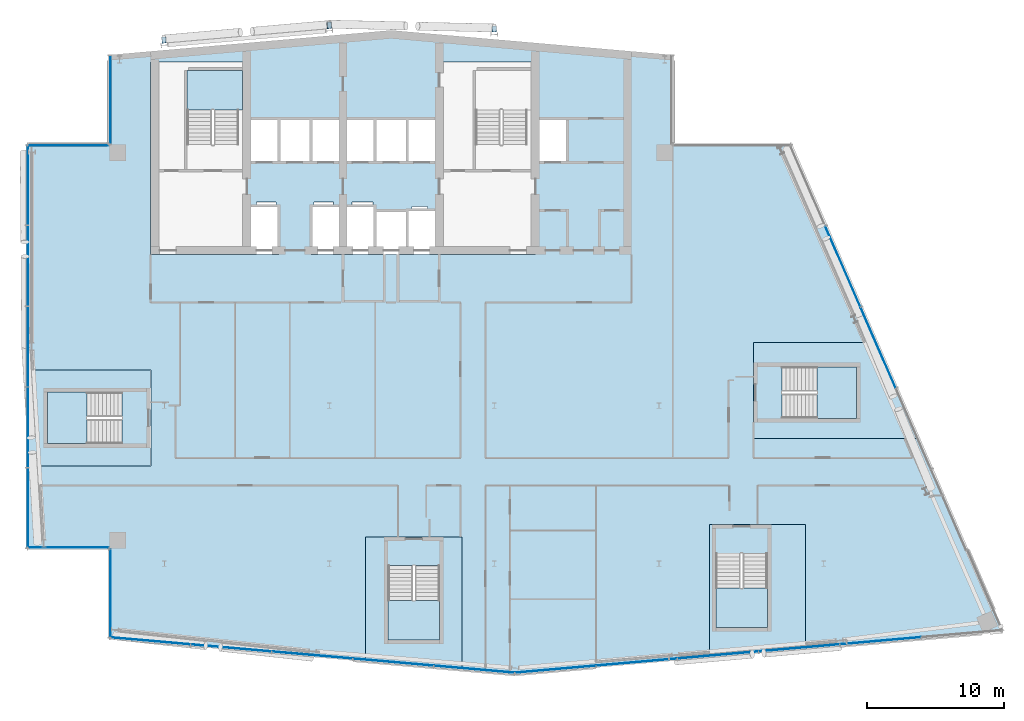
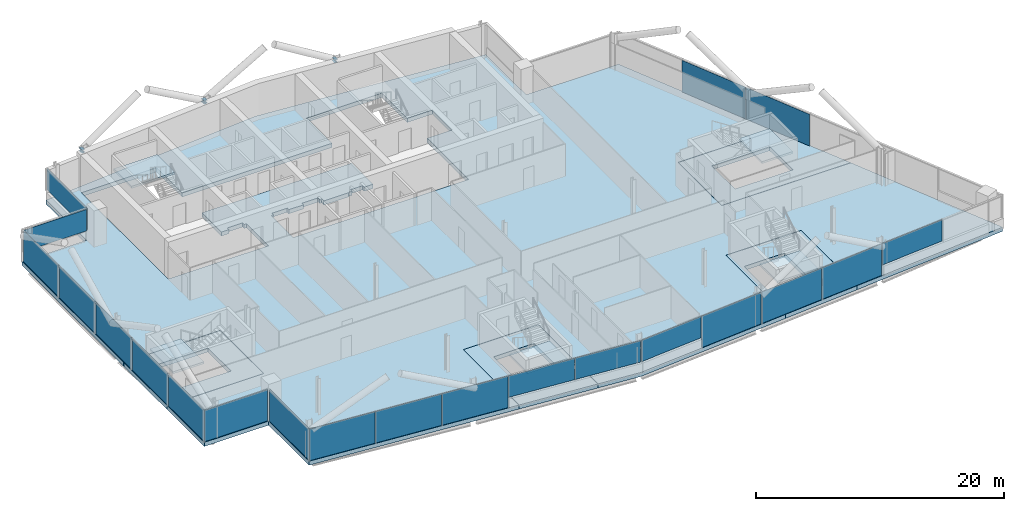
# One storey, part 13 of 27: 21 plates, 10 slabs, 4 members, 13 elements without a shape of their own.
"""IFC4 building model written with IfcOpenShell, lengths in metres."""

from ifc_helpers import new_model, si_unit, direction, frame, origin, origin_2d, place, context, subcontext, project, spatial, polyline, rectangle, i_section, outline, extrude, material, layer, layer_set, material_profile, profile_set, type_object, element, aggregate, save


model = new_model("IFC4")

# Units and contexts
model_context = context("Model", 3, precision=1e-05, world=origin(), true_north=direction((0.0, 1.0)))
body_context = subcontext(model_context, "Body", "Model", "MODEL_VIEW")
ifc_project = project(units=[si_unit("LENGTHUNIT", "METRE"), si_unit("AREAUNIT", "SQUARE_METRE"), si_unit("VOLUMEUNIT", "CUBIC_METRE"), si_unit("PLANEANGLEUNIT", "RADIAN"), si_unit("MASSUNIT", "GRAM", prefix="KILO")], contexts=[model_context])

# Site, building, storey
site_placement = place(None, origin())
site = spatial("IfcSite", under=ifc_project, at=site_placement, CompositionType="ELEMENT")
building_placement = place(site_placement, origin())
building = spatial("IfcBuilding", under=site, at=building_placement, Name="Wharfspan Tower", CompositionType="ELEMENT")
storey_placement = place(building_placement, frame((0.0, 0.0, 210.699951)))
storey = spatial("IfcBuildingStorey", under=building, at=storey_placement, Name="L52", CompositionType="ELEMENT", Elevation=210.699951)

# Members
ifc_material_1 = material(Name="Steel S355J2", Category="steel")
ifc_material_profile = material_profile(ifc_material_1, i_section(OverallWidth=0.300049, OverallDepth=0.300049, WebThickness=0.010986, FlangeThickness=0.019043, FilletRadius=0.0271, at=origin_2d()))
ifc_profile_set = profile_set([ifc_material_profile], Name="Steel S355J2")
member_type = type_object("IfcMemberType", Name="Brace node stub HEB 300", PredefinedType="STRUT", material=ifc_profile_set)
for number, where, z_axis, x_axis, name in (
    (1, (23.987305, 49.381348, 2.900146), (-0.08744, 0.99617, 0.0), (-0.99617, -0.08744, 0.0), "Brace node stub L53 N1 A"),
    (2, (35.987305, 50.431152, 2.900146), (-0.08744, 0.99617, 0.0), (-0.99617, -0.08744, 0.0), "Brace node stub L53 N1 B"),
):
    element("IfcMember", number, at=place(storey_placement, frame(where, z_axis=z_axis, x_axis=x_axis)), inside=storey, type_object=member_type, Name=name, PredefinedType="STRUT", context=body_context, shape_type="SweptSolid", body=[
        extrude(i_section(OverallWidth=0.300049, OverallDepth=0.300049, WebThickness=0.010986, FlangeThickness=0.019043, FilletRadius=0.0271, at=origin_2d()), origin(), (0.0, 0.0, 1.0), 0.455078),
    ])
for number, where, z_axis, x_axis, name in (
    (3, (36.003906, 50.458008, 2.900146), (0.021466, 0.99977, 0.0), (-0.99977, 0.021466, 0.0), "Brace node stub L53 N1 A"),
    (4, (48.003662, 50.185303, 2.900146), (0.021466, 0.99977, 0.0), (-0.99977, 0.021466, 0.0), "Brace node stub L53 N1 B"),
):
    element("IfcMember", number, at=place(storey_placement, frame(where, z_axis=z_axis, x_axis=x_axis)), inside=storey, type_object=member_type, Name=name, PredefinedType="STRUT", context=body_context, shape_type="SweptSolid", body=[
        extrude(i_section(OverallWidth=0.300049, OverallDepth=0.300049, WebThickness=0.010986, FlangeThickness=0.019043, FilletRadius=0.0271, at=origin_2d()), origin(), (0.0, 0.0, 1.0), 0.454834),
    ])

# Curtain wall, plates
ifc_material_2 = material(Name="Aluminium 6063-T6", Category="aluminium")
curtain_wall_type_1 = type_object("IfcCurtainWallType", Name="CURTAIN WALL FACETED FRONT", PredefinedType="NOTDEFINED", material=ifc_material_2)
curtain_wall_1_placement = place(storey_placement, origin())
curtain_wall_1 = element("IfcCurtainWall", 5, at=curtain_wall_1_placement, inside=storey, type_object=curtain_wall_type_1, Name="Curtain wall S1", PredefinedType="NOTDEFINED")
ifc_material_3 = material(Name="Glass clear low-iron double glazing", Category="glass")
ifc_layer_1 = layer(ifc_material_3, 0.040039)
ifc_layer_set_1 = layer_set([ifc_layer_1], Name="Glass clear low-iron double glazing")
plate_type_1 = type_object("IfcPlateType", Name="GLASS PANEL FACETED FRONT 40", PredefinedType="CURTAIN_PANEL", material=ifc_layer_set_1)
plate_1_placement = place(storey_placement, frame((40.655273, 4.328125, 1.0), z_axis=(0.0, 0.0, 1.0), x_axis=(0.996197, -0.087156, 0.0)))
plate_1 = element("IfcPlate", 6, at=plate_1_placement, type_object=plate_type_1, Name="Curtain wall S1 panel 4", PredefinedType="CURTAIN_PANEL", context=body_context, shape_type="SweptSolid", body=[
    extrude(rectangle(XDim=5.862549, YDim=0.040039, at=origin_2d()), origin(), (0.0, 0.0, 1.0), 2.120117),
])
plate_2_placement = place(storey_placement, frame((46.540283, 3.813232, 1.0), z_axis=(0.0, 0.0, 1.0), x_axis=(0.996197, -0.087156, 0.0)))
plate_2 = element("IfcPlate", 7, at=plate_2_placement, type_object=plate_type_1, Name="Curtain wall S1 panel 5", PredefinedType="CURTAIN_PANEL", context=body_context, shape_type="SweptSolid", body=[
    extrude(rectangle(XDim=5.83252, YDim=0.040039, at=origin_2d()), origin(), (0.0, 0.0, 1.0), 2.120117),
])

curtain_wall_2_placement = place(storey_placement, origin())
curtain_wall_2 = element("IfcCurtainWall", 8, at=curtain_wall_2_placement, inside=storey, type_object=curtain_wall_type_1, Name="Curtain wall S2", PredefinedType="NOTDEFINED")
plate_3_placement = place(storey_placement, frame((52.468018, 3.813965, 1.0), z_axis=(0.0, 0.0, 1.0), x_axis=(0.996197, 0.087156, 0.0)))
plate_3 = element("IfcPlate", 9, at=plate_3_placement, type_object=plate_type_1, Name="Curtain wall S2 panel 1", PredefinedType="CURTAIN_PANEL", context=body_context, shape_type="SweptSolid", body=[
    extrude(rectangle(XDim=5.849365, YDim=0.040039, at=origin_2d()), origin(), (0.0, 0.0, 1.0), 2.120117),
])
plate_4_placement = place(storey_placement, frame((76.119873, 5.883301, 1.0), z_axis=(0.0, 0.0, 1.0), x_axis=(0.996197, 0.087156, 0.0)))
plate_4 = element("IfcPlate", 10, at=plate_4_placement, type_object=plate_type_1, Name="Curtain wall S2 panel 5", PredefinedType="CURTAIN_PANEL", context=body_context, shape_type="SweptSolid", body=[
    extrude(rectangle(XDim=5.87915, YDim=0.040039, at=origin_2d()), origin(), (0.0, 0.0, 1.0), 2.120117),
])

# Curtain wall, plate
curtain_wall_type_2 = type_object("IfcCurtainWallType", Name="CURTAIN WALL PROW AND END", PredefinedType="NOTDEFINED", material=ifc_material_2)
curtain_wall_3_placement = place(storey_placement, origin())
curtain_wall_3 = element("IfcCurtainWall", 11, at=curtain_wall_3_placement, inside=storey, type_object=curtain_wall_type_2, Name="Curtain wall NRW-V", PredefinedType="NOTDEFINED")
ifc_layer_2 = layer(ifc_material_3, 0.040039)
ifc_layer_set_2 = layer_set([ifc_layer_2], Name="Glass clear low-iron double glazing")
plate_type_2 = type_object("IfcPlateType", Name="GLASS PANEL PROW AND END 40", PredefinedType="CURTAIN_PANEL", material=ifc_layer_set_2)
plate_5_placement = place(storey_placement, frame((20.080078, 45.262451, 1.0), z_axis=(0.0, 0.0, 1.0), x_axis=(0.0, -1.0, 0.0)))
plate_5 = element("IfcPlate", 12, at=plate_5_placement, type_object=plate_type_2, Name="Curtain wall NRW-V panel 1", PredefinedType="CURTAIN_PANEL", context=body_context, shape_type="SweptSolid", body=[
    extrude(rectangle(XDim=6.405029, YDim=0.040039, at=origin_2d()), origin(), (0.0, 0.0, 1.0), 2.120117),
])
aggregate(curtain_wall_3, [plate_5])

curtain_wall_4_placement = place(storey_placement, origin())
curtain_wall_4 = element("IfcCurtainWall", 13, at=curtain_wall_4_placement, inside=storey, type_object=curtain_wall_type_2, Name="Curtain wall NRW-H", PredefinedType="NOTDEFINED")
plate_6_placement = place(storey_placement, frame((17.0, 41.919922, 1.0), z_axis=(0.0, 0.0, 1.0), x_axis=(-1.0, 0.0, 0.0)))
plate_6 = element("IfcPlate", 14, at=plate_6_placement, type_object=plate_type_2, Name="Curtain wall NRW-H panel 1", PredefinedType="CURTAIN_PANEL", context=body_context, shape_type="SweptSolid", body=[
    extrude(rectangle(XDim=5.879883, YDim=0.040039, at=origin_2d()), origin(), (0.0, 0.0, 1.0), 2.120117),
])
aggregate(curtain_wall_4, [plate_6])

# Plate
ifc_material_4 = material(Name="Aluminium composite opaque insulated panel", Category="aluminium")
ifc_layer_3 = layer(ifc_material_4, 0.040039)
ifc_layer_set_3 = layer_set([ifc_layer_3], Name="Aluminium composite opaque insulated panel")
plate_type_3 = type_object("IfcPlateType", Name="INFILL PANEL FACETED FRONT OPAQUE 40", PredefinedType="SHEET", material=ifc_layer_set_3)
plate_7_placement = place(storey_placement, frame((22.970215, 5.875488, 0.0), z_axis=(0.0, 0.0, 1.0), x_axis=(0.996197, -0.087156, 0.0)))
plate_7 = element("IfcPlate", 15, at=plate_7_placement, type_object=plate_type_3, Name="Curtain wall S1 panel 1", PredefinedType="SHEET", context=body_context, shape_type="SweptSolid", body=[
    extrude(rectangle(XDim=5.83252, YDim=0.040039, at=origin_2d()), origin(), (0.0, 0.0, 1.0), 3.120117),
])

plate_8_placement = place(storey_placement, frame((28.855225, 5.360596, 0.0), z_axis=(0.0, 0.0, 1.0), x_axis=(0.996197, -0.087156, 0.0)))
plate_8 = element("IfcPlate", 16, at=plate_8_placement, type_object=plate_type_3, Name="Curtain wall S1 panel 2", PredefinedType="SHEET", context=body_context, shape_type="SweptSolid", body=[
    extrude(rectangle(XDim=5.862549, YDim=0.040039, at=origin_2d()), origin(), (0.0, 0.0, 1.0), 3.120117),
])

plate_9_placement = place(storey_placement, frame((34.755127, 4.844482, 0.0), z_axis=(0.0, 0.0, 1.0), x_axis=(0.996197, -0.087156, 0.0)))
plate_9 = element("IfcPlate", 17, at=plate_9_placement, type_object=plate_type_3, Name="Curtain wall S1 panel 3", PredefinedType="SHEET", context=body_context, shape_type="SweptSolid", body=[
    extrude(rectangle(XDim=5.862549, YDim=0.040039, at=origin_2d()), origin(), (0.0, 0.0, 1.0), 3.120117),
])

aggregate(curtain_wall_1, [plate_7, plate_8, plate_9, plate_1, plate_2])

plate_10_placement = place(storey_placement, frame((58.369873, 4.330322, 0.0), z_axis=(0.0, 0.0, 1.0), x_axis=(0.996197, 0.087156, 0.0)))
plate_10 = element("IfcPlate", 18, at=plate_10_placement, type_object=plate_type_3, Name="Curtain wall S2 panel 2", PredefinedType="SHEET", context=body_context, shape_type="SweptSolid", body=[
    extrude(rectangle(XDim=5.87915, YDim=0.040039, at=origin_2d()), origin(), (0.0, 0.0, 1.0), 3.120117),
])

plate_11_placement = place(storey_placement, frame((64.286377, 4.848145, 0.0), z_axis=(0.0, 0.0, 1.0), x_axis=(0.996197, 0.087156, 0.0)))
plate_11 = element("IfcPlate", 19, at=plate_11_placement, type_object=plate_type_3, Name="Curtain wall S2 panel 3", PredefinedType="SHEET", context=body_context, shape_type="SweptSolid", body=[
    extrude(rectangle(XDim=5.87915, YDim=0.040039, at=origin_2d()), origin(), (0.0, 0.0, 1.0), 3.120117),
])

plate_12_placement = place(storey_placement, frame((70.203125, 5.365723, 0.0), z_axis=(0.0, 0.0, 1.0), x_axis=(0.996197, 0.087156, 0.0)))
plate_12 = element("IfcPlate", 20, at=plate_12_placement, type_object=plate_type_3, Name="Curtain wall S2 panel 4", PredefinedType="SHEET", context=body_context, shape_type="SweptSolid", body=[
    extrude(rectangle(XDim=5.87915, YDim=0.040039, at=origin_2d()), origin(), (0.0, 0.0, 1.0), 3.120117),
])

aggregate(curtain_wall_2, [plate_3, plate_10, plate_11, plate_12, plate_4])

# Curtain wall, plates
curtain_wall_5_placement = place(storey_placement, origin())
curtain_wall_5 = element("IfcCurtainWall", 21, at=curtain_wall_5_placement, inside=storey, type_object=curtain_wall_type_2, Name="Curtain wall E", PredefinedType="NOTDEFINED")
ifc_layer_4 = layer(ifc_material_4, 0.040039)
ifc_layer_set_4 = layer_set([ifc_layer_4], Name="Aluminium composite opaque insulated panel")
plate_type_4 = type_object("IfcPlateType", Name="INFILL PANEL PROW AND END OPAQUE 40", PredefinedType="SHEET", material=ifc_layer_set_4)
plate_13_placement = place(storey_placement, frame((75.948486, 27.218018, 0.0), z_axis=(0.0, 0.0, 1.0), x_axis=(-0.398727, 0.917072, 0.0)))
plate_13 = element("IfcPlate", 22, at=plate_13_placement, type_object=plate_type_4, Name="Curtain wall E panel 4", PredefinedType="SHEET", context=body_context, shape_type="SweptSolid", body=[
    extrude(rectangle(XDim=6.373535, YDim=0.040039, at=origin_2d()), origin(), (0.0, 0.0, 1.0), 3.120117),
])
plate_14_placement = place(storey_placement, frame((73.383057, 33.118164, 0.0), z_axis=(0.0, 0.0, 1.0), x_axis=(-0.398727, 0.917072, 0.0)))
plate_14 = element("IfcPlate", 23, at=plate_14_placement, type_object=plate_type_4, Name="Curtain wall E panel 5", PredefinedType="SHEET", context=body_context, shape_type="SweptSolid", body=[
    extrude(rectangle(XDim=6.373535, YDim=0.040039, at=origin_2d()), origin(), (0.0, 0.0, 1.0), 3.120117),
])
aggregate(curtain_wall_5, [plate_13, plate_14])

curtain_wall_6_placement = place(storey_placement, origin())
curtain_wall_6 = element("IfcCurtainWall", 24, at=curtain_wall_6_placement, inside=storey, type_object=curtain_wall_type_2, Name="Curtain wall W", PredefinedType="NOTDEFINED")
plate_15_placement = place(storey_placement, frame((14.080078, 39.044922, 0.0), z_axis=(0.0, 0.0, 1.0), x_axis=(0.0, -1.0, 0.0)))
plate_15 = element("IfcPlate", 25, at=plate_15_placement, type_object=plate_type_4, Name="Curtain wall W panel 1", PredefinedType="SHEET", context=body_context, shape_type="SweptSolid", body=[
    extrude(rectangle(XDim=5.790039, YDim=0.040039, at=origin_2d()), origin(), (0.0, 0.0, 1.0), 3.120117),
])
plate_16_placement = place(storey_placement, frame((14.080078, 33.179932, 0.0), z_axis=(0.0, 0.0, 1.0), x_axis=(0.0, -1.0, 0.0)))
plate_16 = element("IfcPlate", 26, at=plate_16_placement, type_object=plate_type_4, Name="Curtain wall W panel 2", PredefinedType="SHEET", context=body_context, shape_type="SweptSolid", body=[
    extrude(rectangle(XDim=5.820068, YDim=0.040039, at=origin_2d()), origin(), (0.0, 0.0, 1.0), 3.120117),
])
plate_17_placement = place(storey_placement, frame((14.080078, 27.300049, 0.0), z_axis=(0.0, 0.0, 1.0), x_axis=(0.0, -1.0, 0.0)))
plate_17 = element("IfcPlate", 27, at=plate_17_placement, type_object=plate_type_4, Name="Curtain wall W panel 3", PredefinedType="SHEET", context=body_context, shape_type="SweptSolid", body=[
    extrude(rectangle(XDim=5.820068, YDim=0.040039, at=origin_2d()), origin(), (0.0, 0.0, 1.0), 3.120117),
])
plate_18_placement = place(storey_placement, frame((14.080078, 21.419922, 0.0), z_axis=(0.0, 0.0, 1.0), x_axis=(0.0, -1.0, 0.0)))
plate_18 = element("IfcPlate", 28, at=plate_18_placement, type_object=plate_type_4, Name="Curtain wall W panel 4", PredefinedType="SHEET", context=body_context, shape_type="SweptSolid", body=[
    extrude(rectangle(XDim=5.820068, YDim=0.040039, at=origin_2d()), origin(), (0.0, 0.0, 1.0), 3.120117),
])
plate_19_placement = place(storey_placement, frame((14.080078, 15.554932, 0.0), z_axis=(0.0, 0.0, 1.0), x_axis=(0.0, -1.0, 0.0)))
plate_19 = element("IfcPlate", 29, at=plate_19_placement, type_object=plate_type_4, Name="Curtain wall W panel 5", PredefinedType="SHEET", context=body_context, shape_type="SweptSolid", body=[
    extrude(rectangle(XDim=5.790039, YDim=0.040039, at=origin_2d()), origin(), (0.0, 0.0, 1.0), 3.120117),
])
aggregate(curtain_wall_6, [plate_15, plate_16, plate_17, plate_18, plate_19])

# Curtain wall, plate
curtain_wall_7_placement = place(storey_placement, origin())
curtain_wall_7 = element("IfcCurtainWall", 30, at=curtain_wall_7_placement, inside=storey, type_object=curtain_wall_type_2, Name="Curtain wall NFW-H", PredefinedType="NOTDEFINED")
plate_20_placement = place(storey_placement, frame((17.0, 12.679932, 0.0), z_axis=(0.0, 0.0, 1.0), x_axis=(1.0, 0.0, 0.0)))
plate_20 = element("IfcPlate", 31, at=plate_20_placement, type_object=plate_type_4, Name="Curtain wall NFW-H panel 1", PredefinedType="SHEET", context=body_context, shape_type="SweptSolid", body=[
    extrude(rectangle(XDim=5.879883, YDim=0.040039, at=origin_2d()), origin(), (0.0, 0.0, 1.0), 3.120117),
])
aggregate(curtain_wall_7, [plate_20])

curtain_wall_8_placement = place(storey_placement, origin())
curtain_wall_8 = element("IfcCurtainWall", 32, at=curtain_wall_8_placement, inside=storey, type_object=curtain_wall_type_2, Name="Curtain wall NFW-V", PredefinedType="NOTDEFINED")
plate_21_placement = place(storey_placement, frame((20.080078, 9.337646, 0.0), z_axis=(0.0, 0.0, 1.0), x_axis=(0.0, -1.0, 0.0)))
plate_21 = element("IfcPlate", 33, at=plate_21_placement, type_object=plate_type_4, Name="Curtain wall NFW-V panel 1", PredefinedType="SHEET", context=body_context, shape_type="SweptSolid", body=[
    extrude(rectangle(XDim=6.405029, YDim=0.040039, at=origin_2d()), origin(), (0.0, 0.0, 1.0), 3.120117),
])
aggregate(curtain_wall_8, [plate_21])

# Slabs
ifc_material_5 = material(Name="Concrete C40/50", Category="concrete")
ifc_layer_5 = layer(ifc_material_5, 0.399902)
ifc_layer_set_5 = layer_set([ifc_layer_5], Name="Concrete C40/50")
slab_type_1 = type_object("IfcSlabType", Name="Post-tensioned flat slab 400", PredefinedType="FLOOR", material=ifc_layer_set_5)
slab_1_placement = place(storey_placement, frame((0.0, 0.0, -0.400146)))
element("IfcSlab", 34, at=slab_1_placement, inside=storey, type_object=slab_type_1, Name="Floor slab L52", PredefinedType="FLOOR", context=body_context, shape_type="SweptSolid", body=[
    extrude(outline(polyline([(38.64209, 4.444092), (38.64209, 13.453125), (45.662109, 13.453125), (45.662109, 3.829834), (49.5, 3.494141), (63.658691, 4.73291), (63.658691, 14.356201), (70.678711, 14.356201), (70.678711, 5.347168), (85.0, 6.600098), (78.91748, 20.590088), (66.859619, 20.590088), (66.859619, 27.610107), (75.865234, 27.610107), (69.608643, 42.0), (61.0, 42.0), (61.0, 48.524902), (40.5, 50.318359), (20.0, 48.524902), (20.0, 42.0), (14.0, 42.0), (14.0, 25.610107), (23.01001, 25.610107), (23.01001, 18.590088), (14.0, 18.590088), (14.0, 12.600098), (20.0, 12.600098), (20.0, 6.075195), (38.64209, 4.444092)]), holes=[polyline([(32.126709, 37.560059), (32.343262, 37.560059), (32.343262, 33.98999), (22.98999, 33.98999), (22.98999, 48.01001), (30.01001, 48.01001), (30.01001, 43.909912), (43.98999, 43.909912), (43.98999, 48.01001), (51.01001, 48.01001), (51.01001, 43.909912), (53.343262, 43.909912), (53.343262, 40.689941), (51.01001, 40.689941), (51.01001, 33.98999), (34.656738, 33.98999), (34.656738, 37.560059), (34.873291, 37.560059), (34.873291, 37.810059), (36.293213, 37.810059), (36.293213, 37.560059), (37.666748, 37.560059), (37.666748, 37.810059), (39.166748, 37.810059), (39.166748, 37.560059), (39.343262, 37.560059), (39.343262, 37.209961), (41.656738, 37.209961), (41.656738, 37.26001), (42.023193, 37.26001), (42.023193, 37.51001), (43.143311, 37.51001), (43.143311, 37.26001), (43.98999, 37.26001), (43.98999, 40.689941), (30.01001, 40.689941), (30.01001, 37.560059), (30.706787, 37.560059), (30.706787, 37.810059), (32.126709, 37.810059), (32.126709, 37.560059)])]), origin(), (0.0, 0.0, 1.0), 0.400146),
])
slab_2_placement = place(storey_placement, frame((0.0, 0.0, -0.400146)))
element("IfcSlab", 35, at=slab_2_placement, inside=storey, type_object=slab_type_1, Name="Core floor slab L52 part 1", PredefinedType="FLOOR", context=body_context, shape_type="SweptSolid", body=[
    extrude(outline(polyline([(23.0, 19.925049), (23.0, 24.274902), (23.0, 25.600098), (14.0, 25.600098), (14.0, 18.600098), (23.0, 18.600098), (23.0, 19.925049)]), holes=[polyline([(20.899902, 23.977051), (20.900146, 23.977051), (20.900391, 23.977051), (20.900635, 23.976807), (20.900879, 23.976807), (20.900879, 23.976807), (20.901123, 23.976807), (20.901367, 23.976562), (20.901367, 23.976318), (20.901611, 23.976318), (20.901611, 23.976074), (20.901855, 23.97583), (20.901855, 23.97583), (20.901855, 23.975586), (20.9021, 23.975342), (20.9021, 23.975098), (20.9021, 23.975098), (20.9021, 20.225098), (20.9021, 20.224854), (20.9021, 20.224609), (20.901855, 20.224365), (20.901855, 20.224121), (20.901855, 20.224121), (20.901611, 20.223877), (20.901611, 20.223633), (20.901367, 20.223633), (20.901367, 20.223389), (20.901123, 20.223389), (20.900879, 20.223145), (20.900879, 20.223145), (20.900635, 20.223145), (20.900391, 20.2229), (20.900146, 20.2229), (20.899902, 20.2229), (15.5, 20.2229), (15.499756, 20.2229), (15.499512, 20.2229), (15.499512, 20.223145), (15.499268, 20.223145), (15.499023, 20.223145), (15.498779, 20.223389), (15.498779, 20.223389), (15.498535, 20.223633), (15.498535, 20.223633), (15.498291, 20.223877), (15.498291, 20.224121), (15.498291, 20.224121), (15.498047, 20.224365), (15.498047, 20.224609), (15.498047, 20.224854), (15.498047, 20.225098), (15.498047, 23.975098), (15.498047, 23.975098), (15.498047, 23.975342), (15.498047, 23.975586), (15.498291, 23.97583), (15.498291, 23.97583), (15.498291, 23.976074), (15.498535, 23.976318), (15.498535, 23.976318), (15.498779, 23.976562), (15.498779, 23.976807), (15.499023, 23.976807), (15.499268, 23.976807), (15.499512, 23.976807), (15.499512, 23.977051), (15.499756, 23.977051), (15.5, 23.977051), (20.899902, 23.977051)])]), origin(), (0.0, 0.0, 1.0), 0.400146),
])
slab_3_placement = place(storey_placement, frame((0.0, 0.0, -0.400146)))
element("IfcSlab", 36, at=slab_3_placement, inside=storey, type_object=slab_type_1, Name="Core floor slab L52 part 3", PredefinedType="FLOOR", context=body_context, shape_type="SweptSolid", body=[
    extrude(outline(polyline([(44.327148, 13.443115), (39.977051, 13.443115), (38.6521, 13.443115), (38.6521, 4.443115), (45.6521, 3.830811), (45.6521, 13.443115), (44.327148, 13.443115)]), holes=[polyline([(40.275146, 11.343262), (40.275146, 11.343506), (40.275146, 11.343506), (40.275146, 11.34375), (40.275391, 11.343994), (40.275391, 11.344238), (40.275391, 11.344238), (40.275635, 11.344482), (40.275635, 11.344482), (40.275879, 11.344727), (40.275879, 11.344971), (40.276123, 11.344971), (40.276367, 11.345215), (40.276611, 11.345215), (40.276611, 11.345215), (40.276855, 11.345215), (40.2771, 11.345215), (44.0271, 11.345215), (44.027344, 11.345215), (44.027588, 11.345215), (44.027588, 11.345215), (44.027832, 11.345215), (44.028076, 11.344971), (44.02832, 11.344971), (44.02832, 11.344727), (44.028564, 11.344482), (44.028809, 11.344482), (44.028809, 11.344238), (44.028809, 11.344238), (44.029053, 11.343994), (44.029053, 11.34375), (44.029053, 11.343506), (44.029053, 11.343506), (44.029053, 11.343262), (44.029053, 5.943115), (44.029053, 5.943115), (44.029053, 5.942871), (44.029053, 5.942627), (44.029053, 5.942383), (44.028809, 5.942383), (44.028809, 5.942139), (44.028809, 5.941895), (44.028564, 5.941895), (44.02832, 5.94165), (44.02832, 5.94165), (44.028076, 5.941406), (44.027832, 5.941406), (44.027588, 5.941406), (44.027588, 5.941406), (44.027344, 5.941162), (44.0271, 5.941162), (40.2771, 5.941162), (40.276855, 5.941162), (40.276611, 5.941406), (40.276611, 5.941406), (40.276367, 5.941406), (40.276123, 5.941406), (40.275879, 5.94165), (40.275879, 5.94165), (40.275635, 5.941895), (40.275635, 5.941895), (40.275391, 5.942139), (40.275391, 5.942383), (40.275391, 5.942383), (40.275146, 5.942627), (40.275146, 5.942871), (40.275146, 5.943115), (40.275146, 5.943115), (40.275146, 11.343262)])]), origin(), (0.0, 0.0, 1.0), 0.400146),
])
slab_4_placement = place(storey_placement, frame((0.0, 0.0, -0.400146)))
element("IfcSlab", 37, at=slab_4_placement, inside=storey, type_object=slab_type_1, Name="Core floor slab L52 part 4", PredefinedType="FLOOR", context=body_context, shape_type="SweptSolid", body=[
    extrude(outline(polyline([(70.668701, 14.346191), (68.193848, 14.346191), (63.84375, 14.346191), (63.668701, 14.346191), (63.668701, 4.733887), (70.668701, 5.346191), (70.668701, 14.346191)]), holes=[polyline([(64.141846, 12.246094), (64.141846, 12.246338), (64.141846, 12.246582), (64.141846, 12.246826), (64.14209, 12.246826), (64.14209, 12.24707), (64.14209, 12.247314), (64.142334, 12.247559), (64.142334, 12.247559), (64.142578, 12.247803), (64.142578, 12.247803), (64.142822, 12.247803), (64.143066, 12.248047), (64.143311, 12.248047), (64.143311, 12.248047), (64.143555, 12.248291), (64.143799, 12.248291), (67.893799, 12.248291), (67.894043, 12.248291), (67.894287, 12.248047), (67.894287, 12.248047), (67.894531, 12.248047), (67.894775, 12.247803), (67.89502, 12.247803), (67.89502, 12.247803), (67.895264, 12.247559), (67.895508, 12.247559), (67.895508, 12.247314), (67.895508, 12.24707), (67.895752, 12.246826), (67.895752, 12.246826), (67.895752, 12.246582), (67.895752, 12.246338), (67.895752, 12.246094), (67.895752, 6.846191), (67.895752, 6.845947), (67.895752, 6.845703), (67.895752, 6.845703), (67.895752, 6.845459), (67.895508, 6.845215), (67.895508, 6.845215), (67.895508, 6.844971), (67.895264, 6.844727), (67.89502, 6.844482), (67.89502, 6.844482), (67.894775, 6.844482), (67.894531, 6.844238), (67.894287, 6.844238), (67.894287, 6.844238), (67.894043, 6.844238), (67.893799, 6.844238), (64.143799, 6.844238), (64.143555, 6.844238), (64.143311, 6.844238), (64.143311, 6.844238), (64.143066, 6.844238), (64.142822, 6.844482), (64.142578, 6.844482), (64.142578, 6.844482), (64.142334, 6.844727), (64.142334, 6.844971), (64.14209, 6.845215), (64.14209, 6.845215), (64.14209, 6.845459), (64.141846, 6.845703), (64.141846, 6.845703), (64.141846, 6.845947), (64.141846, 6.846191), (64.141846, 12.246094)])]), origin(), (0.0, 0.0, 1.0), 0.400146),
])
slab_5_placement = place(storey_placement, frame((0.0, 0.0, -0.400146)))
element("IfcSlab", 38, at=slab_5_placement, inside=storey, type_object=slab_type_1, Name="Core floor slab L52 part 5", PredefinedType="FLOOR", context=body_context, shape_type="SweptSolid", body=[
    extrude(outline(polyline([(75.869629, 27.600098), (66.869629, 27.600098), (66.869629, 26.125), (66.869629, 21.774902), (66.869629, 20.600098), (78.913086, 20.600098), (75.869629, 27.600098)]), holes=[polyline([(68.967529, 25.824951), (68.967529, 25.825195), (68.967529, 25.825439), (68.967773, 25.825684), (68.967773, 25.825684), (68.967773, 25.825928), (68.968018, 25.826172), (68.968018, 25.826416), (68.968262, 25.826416), (68.968262, 25.826416), (68.968506, 25.82666), (68.968506, 25.826904), (68.96875, 25.826904), (68.968994, 25.826904), (68.969238, 25.826904), (68.969482, 25.826904), (68.969482, 25.826904), (74.369629, 25.826904), (74.369873, 25.826904), (74.370117, 25.826904), (74.370117, 25.826904), (74.370361, 25.826904), (74.370605, 25.826904), (74.370605, 25.82666), (74.37085, 25.826416), (74.371094, 25.826416), (74.371094, 25.826416), (74.371094, 25.826172), (74.371338, 25.825928), (74.371338, 25.825684), (74.371582, 25.825684), (74.371582, 25.825439), (74.371582, 25.825195), (74.371582, 25.824951), (74.371582, 22.074951), (74.371582, 22.074707), (74.371582, 22.074707), (74.371582, 22.074463), (74.371338, 22.074219), (74.371338, 22.074219), (74.371094, 22.073975), (74.371094, 22.07373), (74.371094, 22.073486), (74.37085, 22.073486), (74.370605, 22.073242), (74.370605, 22.073242), (74.370361, 22.073242), (74.370117, 22.072998), (74.370117, 22.072998), (74.369873, 22.072998), (74.369629, 22.072998), (68.969482, 22.072998), (68.969482, 22.072998), (68.969238, 22.072998), (68.968994, 22.072998), (68.96875, 22.073242), (68.968506, 22.073242), (68.968506, 22.073242), (68.968262, 22.073486), (68.968262, 22.073486), (68.968018, 22.07373), (68.968018, 22.073975), (68.967773, 22.074219), (68.967773, 22.074219), (68.967773, 22.074463), (68.967529, 22.074707), (68.967529, 22.074707), (68.967529, 22.074951), (68.967529, 25.824951)])]), origin(), (0.0, 0.0, 1.0), 0.400146),
])

# Stair, slab
stair_type = type_object("IfcStairType", Name="Half-turn stair 20 risers 180 mm", PredefinedType="HALF_TURN_STAIR", material=ifc_material_5)
stair_1_placement = place(storey_placement, origin())
stair_1 = element("IfcStair", 39, at=stair_1_placement, inside=storey, type_object=stair_type, Name="L52 stair ST1", PredefinedType="HALF_TURN_STAIR")
ifc_layer_6 = layer(ifc_material_5, 0.199951)
ifc_layer_set_6 = layer_set([ifc_layer_6], Name="Concrete C40/50")
slab_type_2 = type_object("IfcSlabType", Name="Stair landing 200", PredefinedType="LANDING", material=ifc_layer_set_6)
slab_6_placement = place(storey_placement, frame((0.0, 0.0, 1.599854)))
slab_6 = element("IfcSlab", 40, at=slab_6_placement, type_object=slab_type_2, Name="ST1 landing 1", PredefinedType="LANDING", context=body_context, shape_type="SweptSolid", body=[
    extrude(outline(polyline([(25.649902, 44.52002), (29.699951, 44.52002), (29.699951, 47.399902), (25.649902, 47.399902), (25.649902, 44.52002)])), origin(), (0.0, 0.0, 1.0), 0.200195),
])
aggregate(stair_1, [slab_6])

stair_2_placement = place(storey_placement, origin())
stair_2 = element("IfcStair", 41, at=stair_2_placement, inside=storey, type_object=stair_type, Name="L52 stair ST3", PredefinedType="HALF_TURN_STAIR")
slab_7_placement = place(storey_placement, frame((0.0, 0.0, 1.599854)))
slab_7 = element("IfcSlab", 42, at=slab_7_placement, type_object=slab_type_2, Name="ST3 landing 1", PredefinedType="LANDING", context=body_context, shape_type="SweptSolid", body=[
    extrude(outline(polyline([(18.379883, 23.975098), (15.5, 23.975098), (15.5, 20.225098), (18.379883, 20.225098), (18.379883, 23.975098)])), origin(), (0.0, 0.0, 1.0), 0.200195),
])
aggregate(stair_2, [slab_7])

stair_3_placement = place(storey_placement, origin())
stair_3 = element("IfcStair", 43, at=stair_3_placement, inside=storey, type_object=stair_type, Name="L52 stair ST4", PredefinedType="HALF_TURN_STAIR")
slab_8_placement = place(storey_placement, frame((0.0, 0.0, 1.599854)))
slab_8 = element("IfcSlab", 44, at=slab_8_placement, type_object=slab_type_2, Name="ST4 landing 1", PredefinedType="LANDING", context=body_context, shape_type="SweptSolid", body=[
    extrude(outline(polyline([(40.2771, 8.823242), (40.2771, 5.943115), (44.0271, 5.943115), (44.0271, 8.823242), (40.2771, 8.823242)])), origin(), (0.0, 0.0, 1.0), 0.200195),
])
aggregate(stair_3, [slab_8])

stair_4_placement = place(storey_placement, origin())
stair_4 = element("IfcStair", 45, at=stair_4_placement, inside=storey, type_object=stair_type, Name="L52 stair ST5", PredefinedType="HALF_TURN_STAIR")
slab_9_placement = place(storey_placement, frame((0.0, 0.0, 1.599854)))
slab_9 = element("IfcSlab", 46, at=slab_9_placement, type_object=slab_type_2, Name="ST5 landing 1", PredefinedType="LANDING", context=body_context, shape_type="SweptSolid", body=[
    extrude(outline(polyline([(64.143799, 9.726074), (64.143799, 6.846191), (67.893799, 6.846191), (67.893799, 9.726074), (64.143799, 9.726074)])), origin(), (0.0, 0.0, 1.0), 0.200195),
])
aggregate(stair_4, [slab_9])

stair_5_placement = place(storey_placement, origin())
stair_5 = element("IfcStair", 47, at=stair_5_placement, inside=storey, type_object=stair_type, Name="L52 stair ST6", PredefinedType="HALF_TURN_STAIR")
slab_10_placement = place(storey_placement, frame((0.0, 0.0, 1.599854)))
slab_10 = element("IfcSlab", 48, at=slab_10_placement, type_object=slab_type_2, Name="ST6 landing 1", PredefinedType="LANDING", context=body_context, shape_type="SweptSolid", body=[
    extrude(outline(polyline([(71.489502, 22.074951), (74.369629, 22.074951), (74.369629, 25.824951), (71.489502, 25.824951), (71.489502, 22.074951)])), origin(), (0.0, 0.0, 1.0), 0.200195),
])
aggregate(stair_5, [slab_10])

save(model, "model.ifc")
